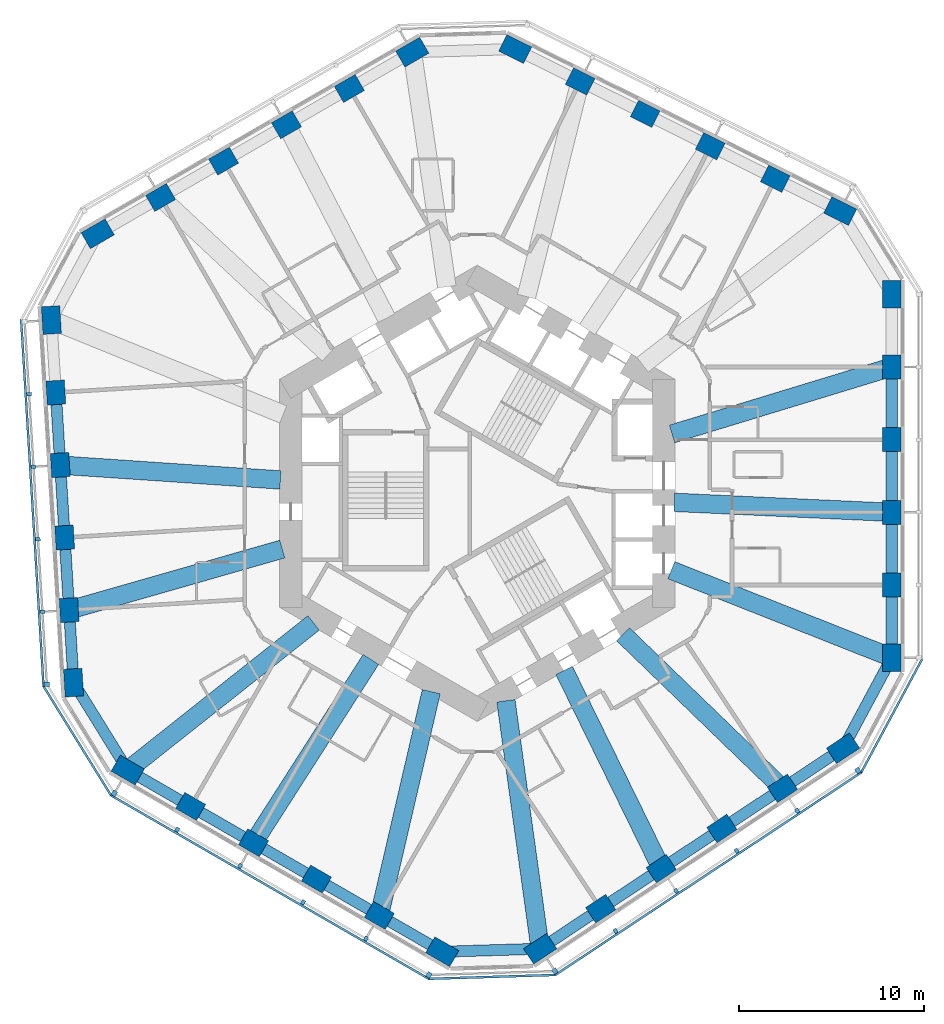
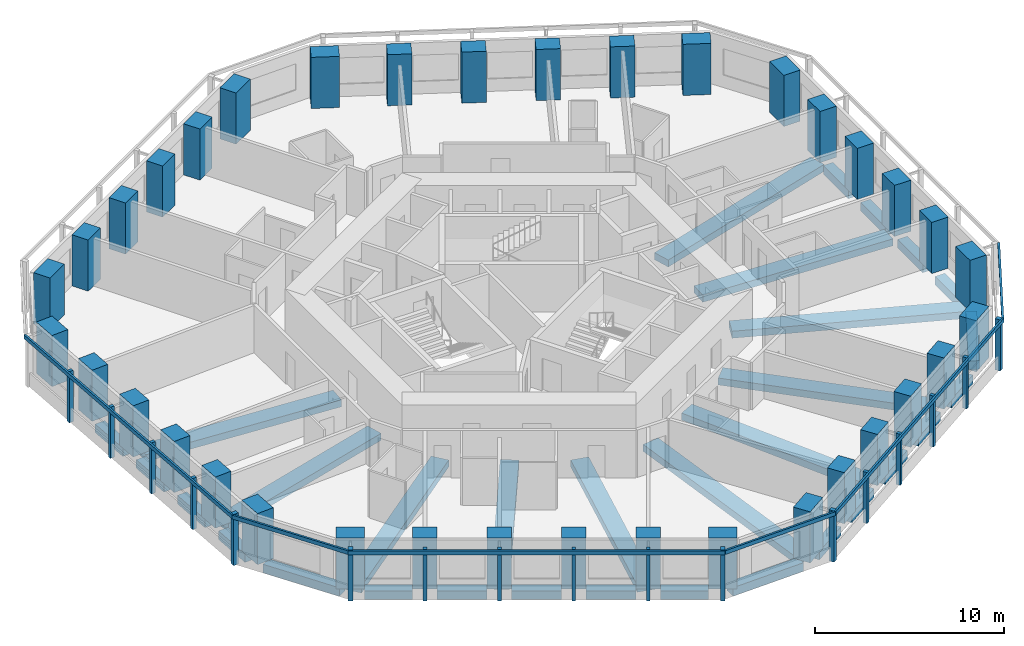
# One storey, part 1 of 12: 36 columns, 32 beams, 23 members, 6 elements without a shape of their own.
"""IFC4 building model written with IfcOpenShell, lengths in metres."""

from ifc_helpers import new_model, si_unit, direction, frame, origin, origin_2d, place, context, subcontext, project, spatial, rectangle, extrude, material, material_profile, profile_set, type_object, element, aggregate, save


model = new_model("IFC4")

# Units and contexts
model_context = context("Model", 3, precision=1e-05, world=origin(), true_north=direction((0.0, 1.0)))
body_context = subcontext(model_context, "Body", "Model", "MODEL_VIEW")
ifc_project = project(units=[si_unit("LENGTHUNIT", "METRE"), si_unit("AREAUNIT", "SQUARE_METRE"), si_unit("VOLUMEUNIT", "CUBIC_METRE"), si_unit("PLANEANGLEUNIT", "RADIAN"), si_unit("MASSUNIT", "GRAM", prefix="KILO")], contexts=[model_context])

# Site, building, storey
site_placement = place(None, origin())
site = spatial("IfcSite", under=ifc_project, at=site_placement, CompositionType="ELEMENT")
building_placement = place(site_placement, origin())
building = spatial("IfcBuilding", under=site, at=building_placement, Name="Vanh Sen Convention Tower", CompositionType="ELEMENT")
storey_placement = place(building_placement, frame((0.0, 0.0, 50.60009765625)))
storey = spatial("IfcBuildingStorey", under=building, at=storey_placement, Name="L09", CompositionType="ELEMENT", Elevation=50.60009765625)

# Columns
ifc_material_1 = material(Name="Concrete C80/95", Category="concrete")
ifc_material_profile_1 = material_profile(ifc_material_1, rectangle(XDim=1.300048828125, YDim=1.0, at=origin_2d()), Name="RC 1300X1000")
ifc_profile_set_1 = profile_set([ifc_material_profile_1], Name="Concrete C80/95")
column_type_1 = type_object("IfcColumnType", Name="Facade column 1300 x 1000 C80/95", PredefinedType="COLUMN", material=ifc_profile_set_1)
for number, where, z_axis, x_axis, name in (
    (1, (22.449951171875, -4.964599609375, 0.0), (0.0, 0.0, 1.0), (0.0, 1.0, 0.0), "Facade column 02 L09"),
    (2, (22.449951171875, -1.030029296875, 0.0), (0.0, 0.0, 1.0), (0.0, 1.0, 0.0), "Facade column 03 L09"),
    (3, (22.449951171875, 2.904541015625, 0.0), (0.0, 0.0, 1.0), (0.0, 1.0, 0.0), "Facade column 04 L09"),
    (4, (22.449951171875, 6.839111328125, 0.0), (0.0, 0.0, 1.0), (0.0, 1.0, 0.0), "Facade column 05 L09"),
    (5, (16.1376953125, 17.039794921875, 0.0), (0.0, 0.0, 1.0), (-0.894934361602, 0.44619781311, 0.0), "Facade column 08 L09"),
    (6, (12.616455078125, 18.79541015625, 0.0), (0.0, 0.0, 1.0), (-0.894934361602, 0.44619781311, 0.0), "Facade column 09 L09"),
    (7, (9.09521484375, 20.55078125, 0.0), (0.0, 0.0, 1.0), (-0.894934361602, 0.44619781311, 0.0), "Facade column 10 L09"),
    (8, (5.57421875, 22.306396484375, 0.0), (0.0, 0.0, 1.0), (-0.894934361602, 0.44619781311, 0.0), "Facade column 11 L09"),
    (9, (-6.925537109375, 21.924560546875, 0.0), (0.0, 0.0, 1.0), (-0.866025403784, -0.5, 0.0), "Facade column 14 L09"),
    (10, (-10.3330078125, 19.957275390625, 0.0), (0.0, 0.0, 1.0), (-0.866025403784, -0.5, 0.0), "Facade column 15 L09"),
    (11, (-13.740478515625, 17.989990234375, 0.0), (0.0, 0.0, 1.0), (-0.866025403784, -0.5, 0.0), "Facade column 16 L09"),
    (12, (-17.14794921875, 16.022705078125, 0.0), (0.0, 0.0, 1.0), (-0.866025403784, -0.5, 0.0), "Facade column 17 L09"),
    (13, (-22.82568359375, 5.455810546875, 0.0), (0.0, 0.0, 1.0), (0.061048539535, -0.998134798422, 0.0), "Facade column 20 L09"),
    (14, (-22.58544921875, 1.528564453125, 0.0), (0.0, 0.0, 1.0), (0.061048539535, -0.998134798422, 0.0), "Facade column 21 L09"),
    (15, (-22.34521484375, -2.398681640625, 0.0), (0.0, 0.0, 1.0), (0.061048539535, -0.998134798422, 0.0), "Facade column 22 L09"),
    (16, (-22.10498046875, -6.325927734375, 0.0), (0.0, 0.0, 1.0), (0.061048539535, -0.998134798422, 0.0), "Facade column 23 L09"),
    (17, (-15.5244140625, -16.9599609375, 0.0), (0.0, 0.0, 1.0), (0.866025403784, -0.5, 0.0), "Facade column 26 L09"),
    (18, (-12.1171875, -18.92724609375, 0.0), (0.0, 0.0, 1.0), (0.866025403784, -0.5, 0.0), "Facade column 27 L09"),
    (19, (-8.709716796875, -20.89453125, 0.0), (0.0, 0.0, 1.0), (0.866025403784, -0.5, 0.0), "Facade column 28 L09"),
    (20, (-5.302001953125, -22.86181640625, 0.0), (0.0, 0.0, 1.0), (0.866025403784, -0.5, 0.0), "Facade column 29 L09"),
    (21, (6.68798828125, -22.49560546875, 0.0), (0.0, 0.0, 1.0), (0.833885822067, 0.551936985312, 0.0), "Facade column 32 L09"),
    (22, (9.968994140625, -20.323974609375, 0.0), (0.0, 0.0, 1.0), (0.833885822067, 0.551936985312, 0.0), "Facade column 33 L09"),
    (23, (13.25, -18.152099609375, 0.0), (0.0, 0.0, 1.0), (0.833885822067, 0.551936985312, 0.0), "Facade column 34 L09"),
    (24, (16.531005859375, -15.980712890625, 0.0), (0.0, 0.0, 1.0), (0.833885822067, 0.551936985312, 0.0), "Facade column 35 L09"),
):
    element("IfcColumn", number, at=place(storey_placement, frame(where, z_axis=z_axis, x_axis=x_axis)), inside=storey, type_object=column_type_1, Name=name, PredefinedType="COLUMN", context=body_context, shape_type="SweptSolid", body=[
        extrude(rectangle(XDim=1.300048828125, YDim=1.0, at=origin_2d()), origin(), (0.0, 0.0, 1.0), 3.2998046875),
    ])
ifc_material_profile_2 = material_profile(ifc_material_1, rectangle(XDim=1.5, YDim=1.0, at=origin_2d()), Name="RC 1500X1000")
ifc_profile_set_2 = profile_set([ifc_material_profile_2], Name="Concrete C80/95")
column_type_2 = type_object("IfcColumnType", Name="Facade corner column 1500 x 1000 C80/95", PredefinedType="COLUMN", material=ifc_profile_set_2)
for number, where, z_axis, x_axis, name in (
    (25, (22.449951171875, -8.899169921875, 0.0), (0.0, 0.0, 1.0), (0.0, 1.0, 0.0), "Facade column 01 L09"),
    (26, (22.449951171875, 10.773681640625, 0.0), (0.0, 0.0, 1.0), (0.0, 1.0, 0.0), "Facade column 06 L09"),
    (27, (19.658935546875, 15.2841796875, 0.0), (0.0, 0.0, 1.0), (-0.894934361602, 0.44619781311, 0.0), "Facade column 07 L09"),
    (28, (2.052978515625, 24.06201171875, 0.0), (0.0, 0.0, 1.0), (-0.894934361602, 0.44619781311, 0.0), "Facade column 12 L09"),
    (29, (-3.51806640625, 23.891845703125, 0.0), (0.0, 0.0, 1.0), (-0.866025403784, -0.5, 0.0), "Facade column 13 L09"),
    (30, (-20.555419921875, 14.055419921875, 0.0), (0.0, 0.0, 1.0), (-0.866025403784, -0.5, 0.0), "Facade column 18 L09"),
    (31, (-23.06591796875, 9.383056640625, 0.0), (0.0, 0.0, 1.0), (0.061048539535, -0.998134798422, 0.0), "Facade column 19 L09"),
    (32, (-21.86474609375, -10.253173828125, 0.0), (0.0, 0.0, 1.0), (0.061048539535, -0.998134798422, 0.0), "Facade column 24 L09"),
    (33, (-18.931884765625, -14.99267578125, 0.0), (0.0, 0.0, 1.0), (0.866025403784, -0.5, 0.0), "Facade column 25 L09"),
    (34, (-1.894775390625, -24.8291015625, 0.0), (0.0, 0.0, 1.0), (0.866025403784, -0.5, 0.0), "Facade column 30 L09"),
    (35, (3.406982421875, -24.6669921875, 0.0), (0.0, 0.0, 1.0), (0.833885822067, 0.551936985312, 0.0), "Facade column 31 L09"),
    (36, (19.81201171875, -13.808837890625, 0.0), (0.0, 0.0, 1.0), (0.833885822067, 0.551936985312, 0.0), "Facade column 36 L09"),
):
    element("IfcColumn", number, at=place(storey_placement, frame(where, z_axis=z_axis, x_axis=x_axis)), inside=storey, type_object=column_type_2, Name=name, PredefinedType="COLUMN", context=body_context, shape_type="SweptSolid", body=[
        extrude(rectangle(XDim=1.5, YDim=1.0, at=origin_2d()), origin(), (0.0, 0.0, 1.0), 3.2998046875),
    ])

# Curtain wall, member
ifc_material_2 = material(Name="Concrete C50/60", Category="concrete")
curtain_wall_type = type_object("IfcCurtainWallType", Name="Outer skin hotel zone", PredefinedType="NOTDEFINED", material=ifc_material_2)
curtain_wall_1_placement = place(storey_placement, origin())
curtain_wall_1 = element("IfcCurtainWall", 37, at=curtain_wall_1_placement, inside=storey, type_object=curtain_wall_type, Name="OUTER SKIN W L09", PredefinedType="NOTDEFINED")
ifc_material_profile_3 = material_profile(ifc_material_2, rectangle(XDim=0.25, YDim=0.300048828125, at=origin_2d()), Name="Outer skin precast corner fin 250 x 300")
ifc_profile_set_3 = profile_set([ifc_material_profile_3], Name="Concrete C50/60")
member_type_1 = type_object("IfcMemberType", Name="Outer skin precast corner fin 250 x 300", PredefinedType="MULLION", material=ifc_profile_set_3)
member_1_placement = place(storey_placement, frame((-23.31201171875, -10.341796875, 0.0), z_axis=(0.0, 0.0, 1.0), x_axis=(0.061048539535, -0.998134798422, 0.0)))
member_1 = element("IfcMember", 38, at=member_1_placement, type_object=member_type_1, Name="OUTER SKIN CORNER FIN 6 W L09", PredefinedType="MULLION", context=body_context, shape_type="SweptSolid", body=[
    extrude(rectangle(XDim=0.25, YDim=0.300048828125, at=origin_2d()), origin(), (0.0, 0.0, 1.0), 3.2998046875),
])

# Curtain wall, members
curtain_wall_2_placement = place(storey_placement, origin())
curtain_wall_2 = element("IfcCurtainWall", 39, at=curtain_wall_2_placement, inside=storey, type_object=curtain_wall_type, Name="OUTER SKIN SW L09", PredefinedType="NOTDEFINED")
member_2_placement = place(storey_placement, frame((-19.656982421875, -16.248291015625, 0.0), z_axis=(0.0, 0.0, 1.0), x_axis=(0.866025403784, -0.5, 0.0)))
member_2 = element("IfcMember", 40, at=member_2_placement, type_object=member_type_1, Name="OUTER SKIN CORNER FIN 1 SW L09", PredefinedType="MULLION", context=body_context, shape_type="SweptSolid", body=[
    extrude(rectangle(XDim=0.25, YDim=0.300048828125, at=origin_2d()), origin(), (0.0, 0.0, 1.0), 3.2998046875),
])
member_3_placement = place(storey_placement, frame((-2.61962890625, -26.084716796875, 0.0), z_axis=(0.0, 0.0, 1.0), x_axis=(0.866025403784, -0.5, 0.0)))
member_3 = element("IfcMember", 41, at=member_3_placement, type_object=member_type_1, Name="OUTER SKIN CORNER FIN 6 SW L09", PredefinedType="MULLION", context=body_context, shape_type="SweptSolid", body=[
    extrude(rectangle(XDim=0.25, YDim=0.300048828125, at=origin_2d()), origin(), (0.0, 0.0, 1.0), 3.2998046875),
])

curtain_wall_3_placement = place(storey_placement, origin())
curtain_wall_3 = element("IfcCurtainWall", 42, at=curtain_wall_3_placement, inside=storey, type_object=curtain_wall_type, Name="OUTER SKIN SE L09", PredefinedType="NOTDEFINED")
member_4_placement = place(storey_placement, frame((4.207275390625, -25.876220703125, 0.0), z_axis=(0.0, 0.0, 1.0), x_axis=(0.833885822067, 0.551936985312, 0.0)))
member_4 = element("IfcMember", 43, at=member_4_placement, type_object=member_type_1, Name="OUTER SKIN CORNER FIN 1 SE L09", PredefinedType="MULLION", context=body_context, shape_type="SweptSolid", body=[
    extrude(rectangle(XDim=0.25, YDim=0.300048828125, at=origin_2d()), origin(), (0.0, 0.0, 1.0), 3.2998046875),
])
member_5_placement = place(storey_placement, frame((20.6123046875, -15.01806640625, 0.0), z_axis=(0.0, 0.0, 1.0), x_axis=(0.833885822067, 0.551936985312, 0.0)))
member_5 = element("IfcMember", 44, at=member_5_placement, type_object=member_type_1, Name="OUTER SKIN CORNER FIN 6 SE L09", PredefinedType="MULLION", context=body_context, shape_type="SweptSolid", body=[
    extrude(rectangle(XDim=0.25, YDim=0.300048828125, at=origin_2d()), origin(), (0.0, 0.0, 1.0), 3.2998046875),
])

# Member
ifc_material_profile_4 = material_profile(ifc_material_2, rectangle(XDim=0.199951171875, YDim=0.25, at=origin_2d()), Name="Outer skin precast fin 200 x 250")
ifc_profile_set_4 = profile_set([ifc_material_profile_4], Name="Concrete C50/60")
member_type_2 = type_object("IfcMemberType", Name="Outer skin precast fin 200 x 250", PredefinedType="MULLION", material=ifc_profile_set_4)
member_6_placement = place(storey_placement, frame((-24.27294921875, 5.3671875, 0.0), z_axis=(0.0, 0.0, 1.0), x_axis=(0.061048539535, -0.998134798422, 0.0)))
member_6 = element("IfcMember", 45, at=member_6_placement, type_object=member_type_2, Name="OUTER SKIN fin 2 W L09", PredefinedType="MULLION", context=body_context, shape_type="SweptSolid", body=[
    extrude(rectangle(XDim=0.199951171875, YDim=0.25, at=origin_2d()), origin(), (0.0, 0.0, 1.0), 3.2998046875),
])

member_7_placement = place(storey_placement, frame((-24.03271484375, 1.440185546875, 0.0), z_axis=(0.0, 0.0, 1.0), x_axis=(0.061048539535, -0.998134798422, 0.0)))
member_7 = element("IfcMember", 46, at=member_7_placement, type_object=member_type_2, Name="OUTER SKIN fin 3 W L09", PredefinedType="MULLION", context=body_context, shape_type="SweptSolid", body=[
    extrude(rectangle(XDim=0.199951171875, YDim=0.25, at=origin_2d()), origin(), (0.0, 0.0, 1.0), 3.2998046875),
])

member_8_placement = place(storey_placement, frame((-23.79248046875, -2.4873046875, 0.0), z_axis=(0.0, 0.0, 1.0), x_axis=(0.061048539535, -0.998134798422, 0.0)))
member_8 = element("IfcMember", 47, at=member_8_placement, type_object=member_type_2, Name="OUTER SKIN fin 4 W L09", PredefinedType="MULLION", context=body_context, shape_type="SweptSolid", body=[
    extrude(rectangle(XDim=0.199951171875, YDim=0.25, at=origin_2d()), origin(), (0.0, 0.0, 1.0), 3.2998046875),
])

member_9_placement = place(storey_placement, frame((-23.55224609375, -6.414306640625, 0.0), z_axis=(0.0, 0.0, 1.0), x_axis=(0.061048539535, -0.998134798422, 0.0)))
member_9 = element("IfcMember", 48, at=member_9_placement, type_object=member_type_2, Name="OUTER SKIN fin 5 W L09", PredefinedType="MULLION", context=body_context, shape_type="SweptSolid", body=[
    extrude(rectangle(XDim=0.199951171875, YDim=0.25, at=origin_2d()), origin(), (0.0, 0.0, 1.0), 3.2998046875),
])

member_10_placement = place(storey_placement, frame((-16.24951171875, -18.2158203125, 0.0), z_axis=(0.0, 0.0, 1.0), x_axis=(0.866025403784, -0.5, 0.0)))
member_10 = element("IfcMember", 49, at=member_10_placement, type_object=member_type_2, Name="OUTER SKIN fin 2 SW L09", PredefinedType="MULLION", context=body_context, shape_type="SweptSolid", body=[
    extrude(rectangle(XDim=0.199951171875, YDim=0.25, at=origin_2d()), origin(), (0.0, 0.0, 1.0), 3.2998046875),
])

member_11_placement = place(storey_placement, frame((-12.842041015625, -20.182861328125, 0.0), z_axis=(0.0, 0.0, 1.0), x_axis=(0.866025403784, -0.5, 0.0)))
member_11 = element("IfcMember", 50, at=member_11_placement, type_object=member_type_2, Name="OUTER SKIN fin 3 SW L09", PredefinedType="MULLION", context=body_context, shape_type="SweptSolid", body=[
    extrude(rectangle(XDim=0.199951171875, YDim=0.25, at=origin_2d()), origin(), (0.0, 0.0, 1.0), 3.2998046875),
])

member_12_placement = place(storey_placement, frame((-9.4345703125, -22.150146484375, 0.0), z_axis=(0.0, 0.0, 1.0), x_axis=(0.866025403784, -0.5, 0.0)))
member_12 = element("IfcMember", 51, at=member_12_placement, type_object=member_type_2, Name="OUTER SKIN fin 4 SW L09", PredefinedType="MULLION", context=body_context, shape_type="SweptSolid", body=[
    extrude(rectangle(XDim=0.199951171875, YDim=0.25, at=origin_2d()), origin(), (0.0, 0.0, 1.0), 3.2998046875),
])

member_13_placement = place(storey_placement, frame((-6.027099609375, -24.117431640625, 0.0), z_axis=(0.0, 0.0, 1.0), x_axis=(0.866025403784, -0.5, 0.0)))
member_13 = element("IfcMember", 52, at=member_13_placement, type_object=member_type_2, Name="OUTER SKIN fin 5 SW L09", PredefinedType="MULLION", context=body_context, shape_type="SweptSolid", body=[
    extrude(rectangle(XDim=0.199951171875, YDim=0.25, at=origin_2d()), origin(), (0.0, 0.0, 1.0), 3.2998046875),
])

member_14_placement = place(storey_placement, frame((7.48828125, -23.70458984375, 0.0), z_axis=(0.0, 0.0, 1.0), x_axis=(0.833885822067, 0.551936985312, 0.0)))
member_14 = element("IfcMember", 53, at=member_14_placement, type_object=member_type_2, Name="OUTER SKIN fin 2 SE L09", PredefinedType="MULLION", context=body_context, shape_type="SweptSolid", body=[
    extrude(rectangle(XDim=0.199951171875, YDim=0.25, at=origin_2d()), origin(), (0.0, 0.0, 1.0), 3.2998046875),
])

member_15_placement = place(storey_placement, frame((10.769287109375, -21.532958984375, 0.0), z_axis=(0.0, 0.0, 1.0), x_axis=(0.833885822067, 0.551936985312, 0.0)))
member_15 = element("IfcMember", 54, at=member_15_placement, type_object=member_type_2, Name="OUTER SKIN fin 3 SE L09", PredefinedType="MULLION", context=body_context, shape_type="SweptSolid", body=[
    extrude(rectangle(XDim=0.199951171875, YDim=0.25, at=origin_2d()), origin(), (0.0, 0.0, 1.0), 3.2998046875),
])

member_16_placement = place(storey_placement, frame((14.05029296875, -19.361328125, 0.0), z_axis=(0.0, 0.0, 1.0), x_axis=(0.833885822067, 0.551936985312, 0.0)))
member_16 = element("IfcMember", 55, at=member_16_placement, type_object=member_type_2, Name="OUTER SKIN fin 4 SE L09", PredefinedType="MULLION", context=body_context, shape_type="SweptSolid", body=[
    extrude(rectangle(XDim=0.199951171875, YDim=0.25, at=origin_2d()), origin(), (0.0, 0.0, 1.0), 3.2998046875),
])

member_17_placement = place(storey_placement, frame((17.331298828125, -17.189697265625, 0.0), z_axis=(0.0, 0.0, 1.0), x_axis=(0.833885822067, 0.551936985312, 0.0)))
member_17 = element("IfcMember", 56, at=member_17_placement, type_object=member_type_2, Name="OUTER SKIN fin 5 SE L09", PredefinedType="MULLION", context=body_context, shape_type="SweptSolid", body=[
    extrude(rectangle(XDim=0.199951171875, YDim=0.25, at=origin_2d()), origin(), (0.0, 0.0, 1.0), 3.2998046875),
])

ifc_material_profile_5 = material_profile(ifc_material_2, rectangle(XDim=0.1201171875, YDim=0.25, at=origin_2d()), Name="Outer skin precast spandrel band 250 x 120")
ifc_profile_set_5 = profile_set([ifc_material_profile_5], Name="Concrete C50/60")
member_type_3 = type_object("IfcMemberType", Name="Outer skin precast spandrel band 250 x 120", PredefinedType="USERDEFINED", material=ifc_profile_set_5)
member_18_placement = place(storey_placement, frame((-24.705322265625, 9.408203125, 3.1748046875), z_axis=(0.061050017989, -0.998134707995, 0.0), x_axis=(0.998134707995, 0.061050017989, 0.0)))
member_18 = element("IfcMember", 57, at=member_18_placement, type_object=member_type_3, Name="OUTER SKIN spandrel band W L09", ObjectType="TRANSOM", PredefinedType="USERDEFINED", context=body_context, shape_type="SweptSolid", body=[
    extrude(rectangle(XDim=0.1201171875, YDim=0.25, at=origin_2d()), origin(), (0.0, 0.0, 1.0), 19.923095703125),
])

aggregate(curtain_wall_1, [member_6, member_7, member_8, member_9, member_1, member_18])

# Curtain wall, member
curtain_wall_4_placement = place(storey_placement, origin())
curtain_wall_4 = element("IfcCurtainWall", 58, at=curtain_wall_4_placement, inside=storey, type_object=curtain_wall_type, Name="OUTER SKIN CH4 L09", PredefinedType="NOTDEFINED")
member_19_placement = place(storey_placement, frame((-23.49072265625, -10.4521484375, 3.1748046875), z_axis=(0.526196095141, -0.850363257354, 0.0), x_axis=(0.850363257354, 0.526196095141, 0.0)))
member_19 = element("IfcMember", 59, at=member_19_placement, type_object=member_type_3, Name="OUTER SKIN spandrel band CH4 L09", ObjectType="TRANSOM", PredefinedType="USERDEFINED", context=body_context, shape_type="SweptSolid", body=[
    extrude(rectangle(XDim=0.1201171875, YDim=0.25, at=origin_2d()), origin(), (0.0, 0.0, 1.0), 6.946044921875),
])
aggregate(curtain_wall_4, [member_19])

# Member
member_20_placement = place(storey_placement, frame((-19.85791015625, -16.34619140625, 3.1748046875), z_axis=(0.866028047459, -0.499995420993, 0.0), x_axis=(0.499995420993, 0.866028047459, 0.0)))
member_20 = element("IfcMember", 60, at=member_20_placement, type_object=member_type_3, Name="OUTER SKIN spandrel band SW L09", ObjectType="TRANSOM", PredefinedType="USERDEFINED", context=body_context, shape_type="SweptSolid", body=[
    extrude(rectangle(XDim=0.1201171875, YDim=0.25, at=origin_2d()), origin(), (0.0, 0.0, 1.0), 19.923095703125),
])

aggregate(curtain_wall_2, [member_2, member_10, member_11, member_12, member_13, member_3, member_20])

# Curtain wall, member
curtain_wall_5_placement = place(storey_placement, origin())
curtain_wall_5 = element("IfcCurtainWall", 61, at=curtain_wall_5_placement, inside=storey, type_object=curtain_wall_type, Name="OUTER SKIN CH5 L09", PredefinedType="NOTDEFINED")
member_21_placement = place(storey_placement, frame((-2.61328125, -26.294677734375, 3.1748046875), z_axis=(0.99953396928, 0.030526124156, 0.0), x_axis=(-0.030526124156, 0.99953396928, 0.0)))
member_21 = element("IfcMember", 62, at=member_21_placement, type_object=member_type_3, Name="OUTER SKIN spandrel band CH5 L09", ObjectType="TRANSOM", PredefinedType="USERDEFINED", context=body_context, shape_type="SweptSolid", body=[
    extrude(rectangle(XDim=0.1201171875, YDim=0.25, at=origin_2d()), origin(), (0.0, 0.0, 1.0), 6.830078125),
])
aggregate(curtain_wall_5, [member_21])

# Member
member_22_placement = place(storey_placement, frame((4.205078125, -26.099609375, 3.1748046875), z_axis=(0.833883851182, 0.551939962984, 0.0), x_axis=(-0.551939962984, 0.833883851182, 0.0)))
member_22 = element("IfcMember", 63, at=member_22_placement, type_object=member_type_3, Name="OUTER SKIN spandrel band SE L09", ObjectType="TRANSOM", PredefinedType="USERDEFINED", context=body_context, shape_type="SweptSolid", body=[
    extrude(rectangle(XDim=0.1201171875, YDim=0.25, at=origin_2d()), origin(), (0.0, 0.0, 1.0), 19.923095703125),
])

aggregate(curtain_wall_3, [member_4, member_14, member_15, member_16, member_17, member_5, member_22])

# Curtain wall, member
curtain_wall_6_placement = place(storey_placement, origin())
curtain_wall_6 = element("IfcCurtainWall", 64, at=curtain_wall_6_placement, inside=storey, type_object=curtain_wall_type, Name="OUTER SKIN CH6 L09", PredefinedType="NOTDEFINED")
member_23_placement = place(storey_placement, frame((20.797119140625, -15.117431640625, 3.1748046875), z_axis=(0.473324148816, 0.880888330123, 0.0), x_axis=(-0.880888330123, 0.473324148816, 0.0)))
member_23 = element("IfcMember", 65, at=member_23_placement, type_object=member_type_3, Name="OUTER SKIN spandrel band CH6 L09", ObjectType="TRANSOM", PredefinedType="USERDEFINED", context=body_context, shape_type="SweptSolid", body=[
    extrude(rectangle(XDim=0.1201171875, YDim=0.25, at=origin_2d()), origin(), (0.0, 0.0, 1.0), 6.9462890625),
])
aggregate(curtain_wall_6, [member_23])

# Beams
ifc_material_3 = material(Name="Concrete C50/60", Category="concrete")
ifc_material_profile_6 = material_profile(ifc_material_3, rectangle(XDim=1.0, YDim=0.449951171875, at=origin_2d()), Name="RC 1000X450")
ifc_profile_set_6 = profile_set([ifc_material_profile_6], Name="Concrete C50/60")
beam_type_1 = type_object("IfcBeamType", Name="Radial floor beam 1000 x 450", PredefinedType="BEAM", material=ifc_profile_set_6)
beam_1_placement = place(storey_placement, frame((22.138916015625, -8.77587890625, -0.47509765625), z_axis=(-0.929624483463, 0.368508235655, 0.0), x_axis=(-0.368508235655, -0.929624483463, 0.0)))
element("IfcBeam", 66, at=beam_1_placement, inside=storey, type_object=beam_type_1, Name="Radial beam 01 L09", PredefinedType="BEAM", context=body_context, shape_type="SweptSolid", body=[
    extrude(rectangle(XDim=1.0, YDim=0.449951171875, at=origin_2d()), origin(), (0.0, 0.0, 1.0), 12.50830078125),
])
beam_2_placement = place(storey_placement, frame((21.977783203125, -1.00830078125, -0.47509765625), z_axis=(-0.998949774884, 0.045818634401, 0.0), x_axis=(-0.045818634401, -0.998949774884, 0.0)))
element("IfcBeam", 67, at=beam_2_placement, inside=storey, type_object=beam_type_1, Name="Radial beam 02 L09", PredefinedType="BEAM", context=body_context, shape_type="SweptSolid", body=[
    extrude(rectangle(XDim=1.0, YDim=0.449951171875, at=origin_2d()), origin(), (0.0, 0.0, 1.0), 11.317626953125),
])
beam_3_placement = place(storey_placement, frame((22.1005859375, 6.732666015625, -0.47509765625), z_axis=(-0.95659843119, -0.291409405211, 0.0), x_axis=(0.291409405211, -0.95659843119, 0.0)))
element("IfcBeam", 68, at=beam_3_placement, inside=storey, type_object=beam_type_1, Name="Radial beam 03 L09", PredefinedType="BEAM", context=body_context, shape_type="SweptSolid", body=[
    extrude(rectangle(XDim=1.0, YDim=0.449951171875, at=origin_2d()), origin(), (0.0, 0.0, 1.0), 12.0751953125),
])
beam_4_placement = place(storey_placement, frame((-22.15185546875, 1.499267578125, -0.47509765625), z_axis=(0.997718156648, -0.067516515721, 0.0), x_axis=(0.067516515721, 0.997718156648, 0.0)))
element("IfcBeam", 69, at=beam_4_placement, inside=storey, type_object=beam_type_1, Name="Radial beam 11 L09", PredefinedType="BEAM", context=body_context, shape_type="SweptSolid", body=[
    extrude(rectangle(XDim=1.0, YDim=0.449951171875, at=origin_2d()), origin(), (0.0, 0.0, 1.0), 11.51708984375),
])
beam_5_placement = place(storey_placement, frame((-21.723876953125, -6.216796875, -0.47509765625), z_axis=(0.961405669021, 0.275134766203, 0.0), x_axis=(-0.275134766203, 0.961405669021, 0.0)))
element("IfcBeam", 70, at=beam_5_placement, inside=storey, type_object=beam_type_1, Name="Radial beam 12 L09", PredefinedType="BEAM", context=body_context, shape_type="SweptSolid", body=[
    extrude(rectangle(XDim=1.0, YDim=0.449951171875, at=origin_2d()), origin(), (0.0, 0.0, 1.0), 11.614501953125),
])
beam_6_placement = place(storey_placement, frame((-18.669677734375, -14.784912109375, -0.47509765625), z_axis=(0.783946075621, 0.620828922102, 0.0), x_axis=(-0.620828922102, 0.783946075621, 0.0)))
element("IfcBeam", 71, at=beam_6_placement, inside=storey, type_object=beam_type_1, Name="Radial beam 13 L09", PredefinedType="BEAM", context=body_context, shape_type="SweptSolid", body=[
    extrude(rectangle(XDim=1.0, YDim=0.449951171875, at=origin_2d()), origin(), (0.0, 0.0, 1.0), 12.508056640625),
])
beam_7_placement = place(storey_placement, frame((-11.8623046875, -18.529296875, -0.47509765625), z_axis=(0.539168157523, 0.842198134594, 0.0), x_axis=(-0.842198134594, 0.539168157523, 0.0)))
element("IfcBeam", 72, at=beam_7_placement, inside=storey, type_object=beam_type_1, Name="Radial beam 14 L09", PredefinedType="BEAM", context=body_context, shape_type="SweptSolid", body=[
    extrude(rectangle(XDim=1.0, YDim=0.449951171875, at=origin_2d()), origin(), (0.0, 0.0, 1.0), 11.31787109375),
])
beam_8_placement = place(storey_placement, frame((-5.219482421875, -22.505859375, -0.47509765625), z_axis=(0.225921069531, 0.974145610441, 0.0), x_axis=(-0.974145610441, 0.225921069531, 0.0)))
element("IfcBeam", 73, at=beam_8_placement, inside=storey, type_object=beam_type_1, Name="Radial beam 15 L09", PredefinedType="BEAM", context=body_context, shape_type="SweptSolid", body=[
    extrude(rectangle(XDim=1.0, YDim=0.449951171875, at=origin_2d()), origin(), (0.0, 0.0, 1.0), 12.0751953125),
])
beam_9_placement = place(storey_placement, frame((3.364501953125, -24.3603515625, -0.47509765625), z_axis=(-0.136807007089, 0.990597719971, 0.0), x_axis=(-0.990597719971, -0.136807007089, 0.0)))
element("IfcBeam", 74, at=beam_9_placement, inside=storey, type_object=beam_type_1, Name="Radial beam 16 L09", PredefinedType="BEAM", context=body_context, shape_type="SweptSolid", body=[
    extrude(rectangle(XDim=1.0, YDim=0.449951171875, at=origin_2d()), origin(), (0.0, 0.0, 1.0), 13.24853515625),
])
beam_10_placement = place(storey_placement, frame((9.777587890625, -19.933837890625, -0.47509765625), z_axis=(-0.440374700847, 0.897814080339, 0.0), x_axis=(-0.897814080339, -0.440374700847, 0.0)))
element("IfcBeam", 75, at=beam_10_placement, inside=storey, type_object=beam_type_1, Name="Radial beam 17 L09", PredefinedType="BEAM", context=body_context, shape_type="SweptSolid", body=[
    extrude(rectangle(XDim=1.0, YDim=0.449951171875, at=origin_2d()), origin(), (0.0, 0.0, 1.0), 11.516845703125),
])
beam_11_placement = place(storey_placement, frame((16.245849609375, -15.705078125, -0.47509765625), z_axis=(-0.718976471313, 0.695034411881, 0.0), x_axis=(-0.695034411881, -0.718976471313, 0.0)))
element("IfcBeam", 76, at=beam_11_placement, inside=storey, type_object=beam_type_1, Name="Radial beam 18 L09", PredefinedType="BEAM", context=body_context, shape_type="SweptSolid", body=[
    extrude(rectangle(XDim=1.0, YDim=0.449951171875, at=origin_2d()), origin(), (0.0, 0.0, 1.0), 11.614501953125),
])
ifc_material_profile_7 = material_profile(ifc_material_3, rectangle(XDim=0.60009765625, YDim=0.550048828125, at=origin_2d()), Name="RC 600X550")
ifc_profile_set_7 = profile_set([ifc_material_profile_7], Name="Concrete C50/60")
beam_type_2 = type_object("IfcBeamType", Name="Spandrel beam 600 x 550", PredefinedType="SPANDREL", material=ifc_profile_set_7)
beam_12_placement = place(storey_placement, frame((22.449951171875, -8.154296875, -0.525146484375), z_axis=(0.0, 1.0, 0.0), x_axis=(-1.0, 0.0, 0.0)))
element("IfcBeam", 77, at=beam_12_placement, inside=storey, type_object=beam_type_2, Name="Spandrel beam 01 L09", PredefinedType="SPANDREL", context=body_context, shape_type="SweptSolid", body=[
    extrude(rectangle(XDim=0.60009765625, YDim=0.550048828125, at=origin_2d()), origin(), (0.0, 0.0, 1.0), 2.544677734375),
])
for number, where, z_axis, x_axis, name in (
    (78, (22.449951171875, -4.319580078125, -0.525146484375), (0.0, 1.0, 0.0), (-1.0, 0.0, 0.0), "Spandrel beam 02 L09"),
    (79, (22.449951171875, -0.385009765625, -0.525146484375), (0.0, 1.0, 0.0), (-1.0, 0.0, 0.0), "Spandrel beam 03 L09"),
    (80, (22.449951171875, 3.549560546875, -0.525146484375), (0.0, 1.0, 0.0), (-1.0, 0.0, 0.0), "Spandrel beam 04 L09"),
    (81, (-22.7861328125, 4.81201171875, -0.525146484375), (0.061021844318, -0.998136430813, 0.0), (0.998136430813, 0.061021844318, 0.0), "Spandrel beam 20 L09"),
    (82, (-22.5458984375, 0.884765625, -0.525146484375), (0.061021844318, -0.998136430813, 0.0), (0.998136430813, 0.061021844318, 0.0), "Spandrel beam 21 L09"),
    (83, (-22.305908203125, -3.04248046875, -0.525146484375), (0.061113817246, -0.998130803723, 0.0), (0.998130803723, 0.061113817246, 0.0), "Spandrel beam 22 L09"),
):
    element("IfcBeam", number, at=place(storey_placement, frame(where, z_axis=z_axis, x_axis=x_axis)), inside=storey, type_object=beam_type_2, Name=name, PredefinedType="SPANDREL", context=body_context, shape_type="SweptSolid", body=[
        extrude(rectangle(XDim=0.60009765625, YDim=0.550048828125, at=origin_2d()), origin(), (0.0, 0.0, 1.0), 2.64453125),
    ])
beam_13_placement = place(storey_placement, frame((-22.065673828125, -6.9697265625, -0.525146484375), z_axis=(0.061022277531, -0.998136404328, 0.0), x_axis=(0.998136404328, 0.061022277531, 0.0)))
element("IfcBeam", 84, at=beam_13_placement, inside=storey, type_object=beam_type_2, Name="Spandrel beam 23 L09", PredefinedType="SPANDREL", context=body_context, shape_type="SweptSolid", body=[
    extrude(rectangle(XDim=0.60009765625, YDim=0.550048828125, at=origin_2d()), origin(), (0.0, 0.0, 1.0), 2.54443359375),
])
beam_14_placement = place(storey_placement, frame((-21.605224609375, -10.672607421875, -0.525146484375), z_axis=(0.526195204359, -0.850363808561, 0.0), x_axis=(0.850363808561, 0.526195204359, 0.0)))
element("IfcBeam", 85, at=beam_14_placement, inside=storey, type_object=beam_type_2, Name="Spandrel beam 24 L09", PredefinedType="SPANDREL", context=body_context, shape_type="SweptSolid", body=[
    extrude(rectangle(XDim=0.60009765625, YDim=0.550048828125, at=origin_2d()), origin(), (0.0, 0.0, 1.0), 4.58740234375),
])
beam_15_placement = place(storey_placement, frame((-18.286865234375, -15.365234375, -0.525146484375), z_axis=(0.866056180903, -0.499946688677, 0.0), x_axis=(0.499946688677, 0.866056180903, 0.0)))
element("IfcBeam", 86, at=beam_15_placement, inside=storey, type_object=beam_type_2, Name="Spandrel beam 25 L09", PredefinedType="SPANDREL", context=body_context, shape_type="SweptSolid", body=[
    extrude(rectangle(XDim=0.60009765625, YDim=0.550048828125, at=origin_2d()), origin(), (0.0, 0.0, 1.0), 2.544677734375),
])
beam_16_placement = place(storey_placement, frame((-14.9658203125, -17.282470703125, -0.525146484375), z_axis=(0.866007234284, -0.500031469177, 0.0), x_axis=(0.500031469177, 0.866007234284, 0.0)))
element("IfcBeam", 87, at=beam_16_placement, inside=storey, type_object=beam_type_2, Name="Spandrel beam 26 L09", PredefinedType="SPANDREL", context=body_context, shape_type="SweptSolid", body=[
    extrude(rectangle(XDim=0.60009765625, YDim=0.550048828125, at=origin_2d()), origin(), (0.0, 0.0, 1.0), 2.644287109375),
])
for number, where, z_axis, x_axis, name in (
    (88, (-11.55859375, -19.249755859375, -0.525146484375), (0.866030315638, -0.499991492324, 0.0), (0.499991492324, 0.866030315638, 0.0), "Spandrel beam 27 L09"),
    (89, (-8.15087890625, -21.217041015625, -0.525146484375), (0.866030315638, -0.499991492324, 0.0), (0.499991492324, 0.866030315638, 0.0), "Spandrel beam 28 L09"),
):
    element("IfcBeam", number, at=place(storey_placement, frame(where, z_axis=z_axis, x_axis=x_axis)), inside=storey, type_object=beam_type_2, Name=name, PredefinedType="SPANDREL", context=body_context, shape_type="SweptSolid", body=[
        extrude(rectangle(XDim=0.60009765625, YDim=0.550048828125, at=origin_2d()), origin(), (0.0, 0.0, 1.0), 2.64453125),
    ])
beam_17_placement = place(storey_placement, frame((-4.743408203125, -23.184326171875, -0.525146484375), z_axis=(0.866032197868, -0.499988232117, 0.0), x_axis=(0.499988232117, 0.866032197868, 0.0)))
element("IfcBeam", 90, at=beam_17_placement, inside=storey, type_object=beam_type_2, Name="Spandrel beam 29 L09", PredefinedType="SPANDREL", context=body_context, shape_type="SweptSolid", body=[
    extrude(rectangle(XDim=0.60009765625, YDim=0.550048828125, at=origin_2d()), origin(), (0.0, 0.0, 1.0), 2.54443359375),
])
beam_18_placement = place(storey_placement, frame((-1.4345703125, -24.81494140625, -0.525146484375), z_axis=(0.999534100542, 0.030521825872, 0.0), x_axis=(-0.030521825872, 0.999534100542, 0.0)))
element("IfcBeam", 91, at=beam_18_placement, inside=storey, type_object=beam_type_2, Name="Spandrel beam 30 L09", PredefinedType="SPANDREL", context=body_context, shape_type="SweptSolid", body=[
    extrude(rectangle(XDim=0.60009765625, YDim=0.550048828125, at=origin_2d()), origin(), (0.0, 0.0, 1.0), 4.38330078125),
])
beam_19_placement = place(storey_placement, frame((4.028076171875, -24.255859375, -0.525146484375), z_axis=(0.833905579906, 0.551907133313, 0.0), x_axis=(-0.551907133313, 0.833905579906, 0.0)))
element("IfcBeam", 92, at=beam_19_placement, inside=storey, type_object=beam_type_2, Name="Spandrel beam 31 L09", PredefinedType="SPANDREL", context=body_context, shape_type="SweptSolid", body=[
    extrude(rectangle(XDim=0.60009765625, YDim=0.550048828125, at=origin_2d()), origin(), (0.0, 0.0, 1.0), 2.54443359375),
])
beam_20_placement = place(storey_placement, frame((7.225830078125, -22.139404296875, -0.525146484375), z_axis=(0.833892212548, 0.551927330227, 0.0), x_axis=(-0.551927330227, 0.833892212548, 0.0)))
element("IfcBeam", 93, at=beam_20_placement, inside=storey, type_object=beam_type_2, Name="Spandrel beam 32 L09", PredefinedType="SPANDREL", context=body_context, shape_type="SweptSolid", body=[
    extrude(rectangle(XDim=0.60009765625, YDim=0.550048828125, at=origin_2d()), origin(), (0.0, 0.0, 1.0), 2.644287109375),
])
beam_21_placement = place(storey_placement, frame((10.5068359375, -19.968017578125, -0.525146484375), z_axis=(0.833849719202, 0.551991526916, 0.0), x_axis=(-0.551991526916, 0.833849719202, 0.0)))
element("IfcBeam", 94, at=beam_21_placement, inside=storey, type_object=beam_type_2, Name="Spandrel beam 33 L09", PredefinedType="SPANDREL", context=body_context, shape_type="SweptSolid", body=[
    extrude(rectangle(XDim=0.60009765625, YDim=0.550048828125, at=origin_2d()), origin(), (0.0, 0.0, 1.0), 2.64453125),
])
beam_22_placement = place(storey_placement, frame((13.787841796875, -17.796142578125, -0.525146484375), z_axis=(0.833892212548, 0.551927330227, 0.0), x_axis=(-0.551927330227, 0.833892212548, 0.0)))
element("IfcBeam", 95, at=beam_22_placement, inside=storey, type_object=beam_type_2, Name="Spandrel beam 34 L09", PredefinedType="SPANDREL", context=body_context, shape_type="SweptSolid", body=[
    extrude(rectangle(XDim=0.60009765625, YDim=0.550048828125, at=origin_2d()), origin(), (0.0, 0.0, 1.0), 2.644287109375),
])
beam_23_placement = place(storey_placement, frame((17.06884765625, -15.62451171875, -0.525146484375), z_axis=(0.833905579906, 0.551907133313, 0.0), x_axis=(-0.551907133313, 0.833905579906, 0.0)))
element("IfcBeam", 96, at=beam_23_placement, inside=storey, type_object=beam_type_2, Name="Spandrel beam 35 L09", PredefinedType="SPANDREL", context=body_context, shape_type="SweptSolid", body=[
    extrude(rectangle(XDim=0.60009765625, YDim=0.550048828125, at=origin_2d()), origin(), (0.0, 0.0, 1.0), 2.54443359375),
])
beam_24_placement = place(storey_placement, frame((20.04541015625, -13.37451171875, -0.525146484375), z_axis=(0.473290328657, 0.880906501735, 0.0), x_axis=(-0.880906501735, 0.473290328657, 0.0)))
element("IfcBeam", 97, at=beam_24_placement, inside=storey, type_object=beam_type_2, Name="Spandrel beam 36 L09", PredefinedType="SPANDREL", context=body_context, shape_type="SweptSolid", body=[
    extrude(rectangle(XDim=0.60009765625, YDim=0.550048828125, at=origin_2d()), origin(), (0.0, 0.0, 1.0), 4.58740234375),
])

save(model, "model.ifc")
